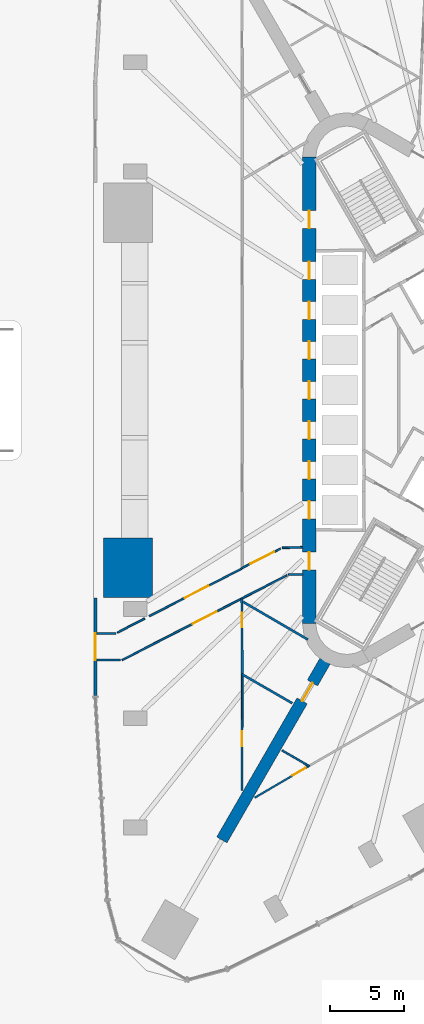
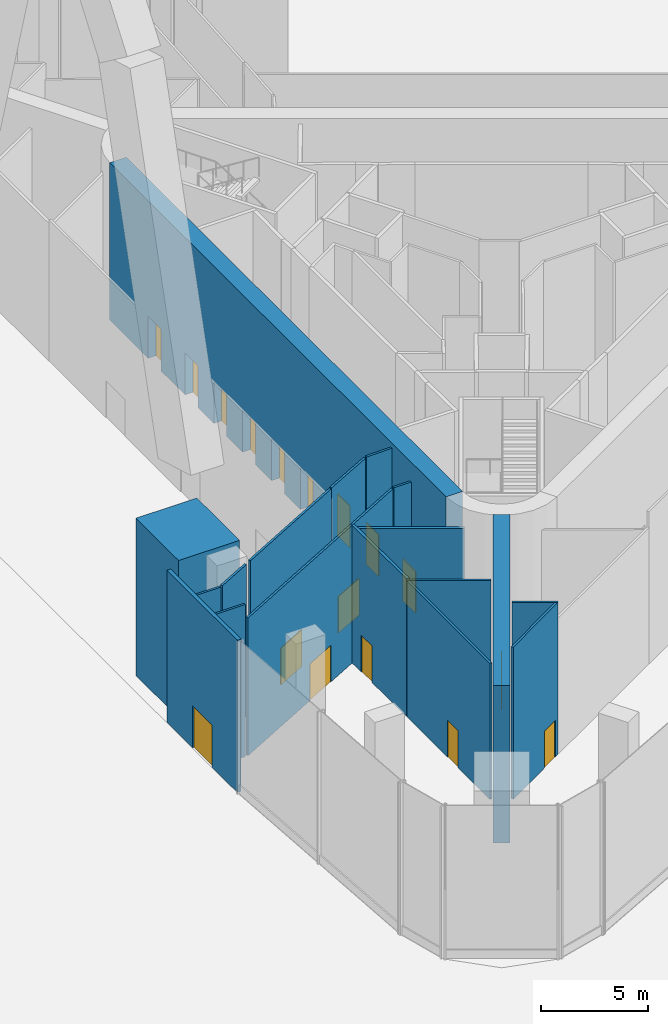
# One storey, part 13 of 22: 18 walls, 17 doors, 17 openings.
"""IFC4 building model written with IfcOpenShell, lengths in metres."""

from ifc_helpers import new_model, si_unit, direction, frame, frame_2d, origin, place, context, subcontext, project, spatial, polyline, rectangle, outline, extrude, material, layer, layer_set, type_object, element, fill, save


model = new_model("IFC4")

# Units and contexts
model_context = context("Model", 3, precision=1e-05, world=origin(), true_north=direction((0.0, 1.0)))
body_context = subcontext(model_context, "Body", "Model", "MODEL_VIEW")
ifc_project = project(units=[si_unit("LENGTHUNIT", "METRE"), si_unit("AREAUNIT", "SQUARE_METRE"), si_unit("VOLUMEUNIT", "CUBIC_METRE"), si_unit("PLANEANGLEUNIT", "RADIAN"), si_unit("MASSUNIT", "GRAM", prefix="KILO")], contexts=[model_context])

# Site, building, storey
site_placement = place(None, origin())
site = spatial("IfcSite", under=ifc_project, at=site_placement, CompositionType="ELEMENT")
building_placement = place(site_placement, origin())
building = spatial("IfcBuilding", under=site, at=building_placement, Name="Tanit Gate Tower", CompositionType="ELEMENT")
storey_placement = place(building_placement, origin())
storey = spatial("IfcBuildingStorey", under=building, at=storey_placement, Name="L00", CompositionType="ELEMENT", Elevation=0.0)

# Wall, opening, door
ifc_material_1 = material(Name="Concrete C60/75", Category="concrete")
ifc_layer_1 = layer(ifc_material_1, 0.800048828125)
ifc_layer_set_1 = layer_set([ifc_layer_1], Name="BUTTRESS FIN 800 C60/75")
wall_type_1 = type_object("IfcWallType", Name="BUTTRESS FIN 800 C60/75", PredefinedType="SHEAR", material=ifc_layer_set_1)
wall_1_placement = place(storey_placement, frame((-10.574951171875, -18.31640625, 0.0), z_axis=(0.0, 0.0, 1.0), x_axis=(-0.499996575515, -0.866027380903, 0.0)))
wall_1 = element("IfcWall", 1, at=wall_1_placement, inside=storey, type_object=wall_type_1, Name="BUTTRESS FIN", PredefinedType="SHEAR", context=body_context, shape_type="SweptSolid", body=[
    extrude(rectangle(XDim=13.9541015625, YDim=0.800048828125, at=frame_2d((6.97705078125, 0.0))), origin(), (0.0, 0.0, 1.0), 9.0),
])
opening_1_placement = place(wall_1_placement, frame((1.699951171875, 0.0, 0.0)))
opening_1 = element("IfcOpeningElement", 2, at=opening_1_placement, cuts=wall_1, Name="Opening P14-00-F-SW-1", PredefinedType="OPENING", context=body_context, shape_type="SweptSolid", body=[
    extrude(rectangle(XDim=1.39990234375, YDim=2.39990234375, at=frame_2d((0.699951171875, 1.199951171875))), frame((0.0, 0.41015625, 0.0), z_axis=(0.0, -1.0, 0.0), x_axis=(1.0, 0.0, 0.0)), (0.0, 0.0, 1.0), 0.820068359375),
])
ifc_material_2 = material(Name="Timber door leaf", Category="wood")
door_type_1 = type_object("IfcDoorType", Name="INT-DOOR-FIN-PAIR-1400", OperationType="NOTDEFINED", PredefinedType="NOTDEFINED", material=ifc_material_2)
door_1_placement = place(opening_1_placement, origin())
door_1 = element("IfcDoor", 3, at=door_1_placement, inside=storey, type_object=door_type_1, Name="Door P14-00-F-SW-1", OperationType="DOUBLE_DOOR_SINGLE_SWING", OverallHeight=2.39990234375, OverallWidth=1.39990234375, PredefinedType="NOTDEFINED", context=body_context, shape_type="SweptSolid", body=[
    extrude(rectangle(XDim=1.39990234375, YDim=2.39990234375, at=frame_2d((0.699951171875, 1.199951171875))), frame((0.0, 0.02490234375, 0.0), z_axis=(0.0, -1.0, 0.0), x_axis=(1.0, 0.0, 0.0)), (0.0, 0.0, 1.0), 0.050048828125),
])
fill(opening_1, door_1)

# Wall, openings, doors
ifc_material_3 = material(Name="Concrete C60/75", Category="concrete")
ifc_layer_2 = layer(ifc_material_3, 0.89990234375)
ifc_layer_set_2 = layer_set([ifc_layer_2], Name="CORE WALL 900 C60/75")
wall_type_2 = type_object("IfcWallType", Name="CORE WALL 900 C60/75", PredefinedType="SHEAR", material=ifc_layer_set_2)
wall_2_placement = place(storey_placement, frame((-11.64990234375, 15.76171875, 0.0), z_axis=(0.0, 0.0, 1.0), x_axis=(0.0, -1.0, 0.0)))
wall_2 = element("IfcWall", 4, at=wall_2_placement, inside=storey, type_object=wall_type_2, Name="CORE WALL", PredefinedType="SHEAR", context=body_context, shape_type="SweptSolid", body=[
    extrude(rectangle(XDim=31.5234375, YDim=0.89990234375, at=frame_2d((15.76171875, 0.0))), origin(), (0.0, 0.0, 1.0), 9.0),
])
opening_2_placement = place(wall_2_placement, frame((7.061767578125, 0.0, 0.0)))
opening_2 = element("IfcOpeningElement", 5, at=opening_2_placement, cuts=wall_2, Name="Opening LDLL1-00", PredefinedType="OPENING", context=body_context, shape_type="SweptSolid", body=[
    extrude(rectangle(XDim=1.199951171875, YDim=2.39990234375, at=frame_2d((0.60009765625, 1.199951171875))), frame((0.0, 0.4599609375, 0.0), z_axis=(0.0, -1.0, 0.0), x_axis=(1.0, 0.0, 0.0)), (0.0, 0.0, 1.0), 0.919921875),
])
opening_3_placement = place(wall_2_placement, frame((9.76171875, 0.0, 0.0)))
opening_3 = element("IfcOpeningElement", 6, at=opening_3_placement, cuts=wall_2, Name="Opening LDLL2-00", PredefinedType="OPENING", context=body_context, shape_type="SweptSolid", body=[
    extrude(rectangle(XDim=1.199951171875, YDim=2.39990234375, at=frame_2d((0.60009765625, 1.199951171875))), frame((0.0, 0.4599609375, 0.0), z_axis=(0.0, -1.0, 0.0), x_axis=(1.0, 0.0, 0.0)), (0.0, 0.0, 1.0), 0.919921875),
])
opening_4_placement = place(wall_2_placement, frame((12.461669921875, 0.0, 0.0)))
opening_4 = element("IfcOpeningElement", 7, at=opening_4_placement, cuts=wall_2, Name="Opening LDLL3-00", PredefinedType="OPENING", context=body_context, shape_type="SweptSolid", body=[
    extrude(rectangle(XDim=1.199951171875, YDim=2.39990234375, at=frame_2d((0.60009765625, 1.199951171875))), frame((0.0, 0.4599609375, 0.0), z_axis=(0.0, -1.0, 0.0), x_axis=(1.0, 0.0, 0.0)), (0.0, 0.0, 1.0), 0.919921875),
])
opening_5_placement = place(wall_2_placement, frame((15.16162109375, 0.0, 0.0)))
opening_5 = element("IfcOpeningElement", 8, at=opening_5_placement, cuts=wall_2, Name="Opening LDLL4-00", PredefinedType="OPENING", context=body_context, shape_type="SweptSolid", body=[
    extrude(rectangle(XDim=1.199951171875, YDim=2.39990234375, at=frame_2d((0.60009765625, 1.199951171875))), frame((0.0, 0.4599609375, 0.0), z_axis=(0.0, -1.0, 0.0), x_axis=(1.0, 0.0, 0.0)), (0.0, 0.0, 1.0), 0.919921875),
])
opening_6_placement = place(wall_2_placement, frame((17.86181640625, 0.0, 0.0)))
opening_6 = element("IfcOpeningElement", 9, at=opening_6_placement, cuts=wall_2, Name="Opening LDLL5-00", PredefinedType="OPENING", context=body_context, shape_type="SweptSolid", body=[
    extrude(rectangle(XDim=1.199951171875, YDim=2.39990234375, at=frame_2d((0.60009765625, 1.199951171875))), frame((0.0, 0.4599609375, 0.0), z_axis=(0.0, -1.0, 0.0), x_axis=(1.0, 0.0, 0.0)), (0.0, 0.0, 1.0), 0.919921875),
])
opening_7_placement = place(wall_2_placement, frame((20.561767578125, 0.0, 0.0)))
opening_7 = element("IfcOpeningElement", 10, at=opening_7_placement, cuts=wall_2, Name="Opening LDLL6-00", PredefinedType="OPENING", context=body_context, shape_type="SweptSolid", body=[
    extrude(rectangle(XDim=1.199951171875, YDim=2.39990234375, at=frame_2d((0.60009765625, 1.199951171875))), frame((0.0, 0.4599609375, 0.0), z_axis=(0.0, -1.0, 0.0), x_axis=(1.0, 0.0, 0.0)), (0.0, 0.0, 1.0), 0.919921875),
])
opening_8_placement = place(wall_2_placement, frame((23.26171875, 0.0, 0.0)))
opening_8 = element("IfcOpeningElement", 11, at=opening_8_placement, cuts=wall_2, Name="Opening LDLL7-00", PredefinedType="OPENING", context=body_context, shape_type="SweptSolid", body=[
    extrude(rectangle(XDim=1.199951171875, YDim=2.39990234375, at=frame_2d((0.60009765625, 1.199951171875))), frame((0.0, 0.4599609375, 0.0), z_axis=(0.0, -1.0, 0.0), x_axis=(1.0, 0.0, 0.0)), (0.0, 0.0, 1.0), 0.919921875),
])
opening_9_placement = place(wall_2_placement, frame((3.61181640625, 0.0, 0.0)))
opening_9 = element("IfcOpeningElement", 12, at=opening_9_placement, cuts=wall_2, Name="Opening F12-00-FL2", PredefinedType="OPENING", context=body_context, shape_type="SweptSolid", body=[
    extrude(rectangle(XDim=1.199951171875, YDim=2.39990234375, at=frame_2d((0.60009765625, 1.199951171875))), frame((0.0, 0.4599609375, 0.0), z_axis=(0.0, -1.0, 0.0), x_axis=(1.0, 0.0, 0.0)), (0.0, 0.0, 1.0), 0.919921875),
])
opening_10_placement = place(wall_2_placement, frame((26.711669921875, 0.0, 0.0)))
opening_10 = element("IfcOpeningElement", 13, at=opening_10_placement, cuts=wall_2, Name="Opening F12-00-S3", PredefinedType="OPENING", context=body_context, shape_type="SweptSolid", body=[
    extrude(rectangle(XDim=1.199951171875, YDim=2.39990234375, at=frame_2d((0.60009765625, 1.199951171875))), frame((0.0, 0.4599609375, 0.0), z_axis=(0.0, -1.0, 0.0), x_axis=(1.0, 0.0, 0.0)), (0.0, 0.0, 1.0), 0.919921875),
])
ifc_material_4 = material(Name="Fire-rated steel door leaf", Category="steel")
door_type_2 = type_object("IfcDoorType", Name="INT-DOOR-FIRE-LOBBY-1200", OperationType="NOTDEFINED", PredefinedType="USERDEFINED", material=ifc_material_4)
door_2_placement = place(opening_9_placement, origin())
door_2 = element("IfcDoor", 14, at=door_2_placement, inside=storey, type_object=door_type_2, Name="Door F12-00-FL2", ObjectType="FIRE DOOR", OperationType="SINGLE_SWING_RIGHT", OverallHeight=2.39990234375, OverallWidth=1.199951171875, PredefinedType="USERDEFINED", context=body_context, shape_type="SweptSolid", body=[
    extrude(rectangle(XDim=1.199951171875, YDim=2.39990234375, at=frame_2d((0.60009765625, 1.199951171875))), frame((0.0, 0.02490234375, 0.0), z_axis=(0.0, -1.0, 0.0), x_axis=(1.0, 0.0, 0.0)), (0.0, 0.0, 1.0), 0.050048828125),
])
fill(opening_9, door_2)
door_3_placement = place(opening_10_placement, origin())
door_3 = element("IfcDoor", 15, at=door_3_placement, inside=storey, type_object=door_type_2, Name="Door F12-00-S3", ObjectType="FIRE DOOR", OperationType="SINGLE_SWING_RIGHT", OverallHeight=2.39990234375, OverallWidth=1.199951171875, PredefinedType="USERDEFINED", context=body_context, shape_type="SweptSolid", body=[
    extrude(rectangle(XDim=1.199951171875, YDim=2.39990234375, at=frame_2d((0.60009765625, 1.199951171875))), frame((0.0, 0.02490234375, 0.0), z_axis=(0.0, -1.0, 0.0), x_axis=(1.0, 0.0, 0.0)), (0.0, 0.0, 1.0), 0.050048828125),
])
fill(opening_10, door_3)
ifc_material_5 = material(Name="Stainless steel sliding door leaf", Category="steel")
door_type_3 = type_object("IfcDoorType", Name="INT-DOOR-LANDING-1200", OperationType="NOTDEFINED", PredefinedType="USERDEFINED", material=ifc_material_5)
door_4_placement = place(opening_2_placement, origin())
door_4 = element("IfcDoor", 16, at=door_4_placement, inside=storey, type_object=door_type_3, Name="Door LDLL1-00", ObjectType="LANDING DOOR", OperationType="SLIDING_TO_LEFT", OverallHeight=2.39990234375, OverallWidth=1.199951171875, PredefinedType="USERDEFINED", context=body_context, shape_type="SweptSolid", body=[
    extrude(rectangle(XDim=1.199951171875, YDim=2.39990234375, at=frame_2d((0.60009765625, 1.199951171875))), frame((0.0, 0.02490234375, 0.0), z_axis=(0.0, -1.0, 0.0), x_axis=(1.0, 0.0, 0.0)), (0.0, 0.0, 1.0), 0.050048828125),
])
fill(opening_2, door_4)
door_5_placement = place(opening_3_placement, origin())
door_5 = element("IfcDoor", 17, at=door_5_placement, inside=storey, type_object=door_type_3, Name="Door LDLL2-00", ObjectType="LANDING DOOR", OperationType="SLIDING_TO_LEFT", OverallHeight=2.39990234375, OverallWidth=1.199951171875, PredefinedType="USERDEFINED", context=body_context, shape_type="SweptSolid", body=[
    extrude(rectangle(XDim=1.199951171875, YDim=2.39990234375, at=frame_2d((0.60009765625, 1.199951171875))), frame((0.0, 0.02490234375, 0.0), z_axis=(0.0, -1.0, 0.0), x_axis=(1.0, 0.0, 0.0)), (0.0, 0.0, 1.0), 0.050048828125),
])
fill(opening_3, door_5)
door_6_placement = place(opening_4_placement, origin())
door_6 = element("IfcDoor", 18, at=door_6_placement, inside=storey, type_object=door_type_3, Name="Door LDLL3-00", ObjectType="LANDING DOOR", OperationType="SLIDING_TO_LEFT", OverallHeight=2.39990234375, OverallWidth=1.199951171875, PredefinedType="USERDEFINED", context=body_context, shape_type="SweptSolid", body=[
    extrude(rectangle(XDim=1.199951171875, YDim=2.39990234375, at=frame_2d((0.60009765625, 1.199951171875))), frame((0.0, 0.02490234375, 0.0), z_axis=(0.0, -1.0, 0.0), x_axis=(1.0, 0.0, 0.0)), (0.0, 0.0, 1.0), 0.050048828125),
])
fill(opening_4, door_6)
door_7_placement = place(opening_5_placement, origin())
door_7 = element("IfcDoor", 19, at=door_7_placement, inside=storey, type_object=door_type_3, Name="Door LDLL4-00", ObjectType="LANDING DOOR", OperationType="SLIDING_TO_LEFT", OverallHeight=2.39990234375, OverallWidth=1.199951171875, PredefinedType="USERDEFINED", context=body_context, shape_type="SweptSolid", body=[
    extrude(rectangle(XDim=1.199951171875, YDim=2.39990234375, at=frame_2d((0.60009765625, 1.199951171875))), frame((0.0, 0.02490234375, 0.0), z_axis=(0.0, -1.0, 0.0), x_axis=(1.0, 0.0, 0.0)), (0.0, 0.0, 1.0), 0.050048828125),
])
fill(opening_5, door_7)
door_8_placement = place(opening_6_placement, origin())
door_8 = element("IfcDoor", 20, at=door_8_placement, inside=storey, type_object=door_type_3, Name="Door LDLL5-00", ObjectType="LANDING DOOR", OperationType="SLIDING_TO_LEFT", OverallHeight=2.39990234375, OverallWidth=1.199951171875, PredefinedType="USERDEFINED", context=body_context, shape_type="SweptSolid", body=[
    extrude(rectangle(XDim=1.199951171875, YDim=2.39990234375, at=frame_2d((0.60009765625, 1.199951171875))), frame((0.0, 0.02490234375, 0.0), z_axis=(0.0, -1.0, 0.0), x_axis=(1.0, 0.0, 0.0)), (0.0, 0.0, 1.0), 0.050048828125),
])
fill(opening_6, door_8)
door_9_placement = place(opening_7_placement, origin())
door_9 = element("IfcDoor", 21, at=door_9_placement, inside=storey, type_object=door_type_3, Name="Door LDLL6-00", ObjectType="LANDING DOOR", OperationType="SLIDING_TO_LEFT", OverallHeight=2.39990234375, OverallWidth=1.199951171875, PredefinedType="USERDEFINED", context=body_context, shape_type="SweptSolid", body=[
    extrude(rectangle(XDim=1.199951171875, YDim=2.39990234375, at=frame_2d((0.60009765625, 1.199951171875))), frame((0.0, 0.02490234375, 0.0), z_axis=(0.0, -1.0, 0.0), x_axis=(1.0, 0.0, 0.0)), (0.0, 0.0, 1.0), 0.050048828125),
])
fill(opening_7, door_9)
door_10_placement = place(opening_8_placement, origin())
door_10 = element("IfcDoor", 22, at=door_10_placement, inside=storey, type_object=door_type_3, Name="Door LDLL7-00", ObjectType="LANDING DOOR", OperationType="SLIDING_TO_LEFT", OverallHeight=2.39990234375, OverallWidth=1.199951171875, PredefinedType="USERDEFINED", context=body_context, shape_type="SweptSolid", body=[
    extrude(rectangle(XDim=1.199951171875, YDim=2.39990234375, at=frame_2d((0.60009765625, 1.199951171875))), frame((0.0, 0.02490234375, 0.0), z_axis=(0.0, -1.0, 0.0), x_axis=(1.0, 0.0, 0.0)), (0.0, 0.0, 1.0), 0.050048828125),
])
fill(opening_8, door_10)

# Wall, opening, door
ifc_material_6 = material(Name="Concrete C30/37 rendered", Category="concrete")
ifc_layer_3 = layer(ifc_material_6, 0.199951171875)
ifc_layer_set_3 = layer_set([ifc_layer_3], Name="Facade wall 200 rendered")
wall_type_3 = type_object("IfcWallType", Name="Facade wall 200 rendered", PredefinedType="SOLIDWALL", material=ifc_layer_set_3)
wall_3_placement = place(storey_placement, frame((-26.107421875, -14.0400390625, 0.0), z_axis=(0.0, 0.0, 1.0), x_axis=(7.3923489e-05, -0.999999997268, 0.0)))
wall_3 = element("IfcWall", 23, at=wall_3_placement, inside=storey, type_object=wall_type_3, Name="Facade wall L00 W2b.1", PredefinedType="SOLIDWALL", context=body_context, shape_type="SweptSolid", body=[
    extrude(rectangle(XDim=6.605224609375, YDim=0.199951171875, at=frame_2d((3.302734375, 0.0))), origin(), (0.0, 0.0, 1.0), 8.699951171875),
])
opening_11_placement = place(wall_3_placement, frame((2.402587890625, 0.0, 0.0)))
opening_11 = element("IfcOpeningElement", 24, at=opening_11_placement, cuts=wall_3, Name="Opening D1", PredefinedType="OPENING", context=body_context, shape_type="SweptSolid", body=[
    extrude(rectangle(XDim=1.800048828125, YDim=2.39990234375, at=frame_2d((0.89990234375, 1.199951171875))), frame((0.0, 0.10986328125, 0.0), z_axis=(0.0, -1.0, 0.0), x_axis=(1.0, 0.0, 0.0)), (0.0, 0.0, 1.0), 0.219970703125),
])
ifc_material_7 = material(Name="Aluminium bronze anodised and glass", Category="aluminium")
door_type_4 = type_object("IfcDoorType", Name="Entrance door double 1800x2400", OperationType="DOUBLE_DOOR_SINGLE_SWING", PredefinedType="DOOR", material=ifc_material_7)
door_11_placement = place(opening_11_placement, frame((1.800048828125, 0.0, 0.0), z_axis=(0.0, 0.0, 1.0), x_axis=(-1.0, 0.0, 0.0)))
door_11 = element("IfcDoor", 25, at=door_11_placement, inside=storey, type_object=door_type_4, Name="Exit door", OperationType="SINGLE_SWING_RIGHT", OverallHeight=2.39990234375, OverallWidth=1.800048828125, PredefinedType="DOOR", context=body_context, shape_type="SweptSolid", body=[
    extrude(rectangle(XDim=1.800048828125, YDim=2.39990234375, at=frame_2d((0.89990234375, 1.199951171875))), frame((0.0, 0.02490234375, 0.0), z_axis=(0.0, -1.0, 0.0), x_axis=(1.0, 0.0, 0.0)), (0.0, 0.0, 1.0), 0.050048828125),
])
fill(opening_11, door_11)

# Wall
ifc_material_8 = material(Name="Gypsum board partition")
ifc_layer_4 = layer(ifc_material_8, 0.1201171875)
ifc_layer_set_4 = layer_set([ifc_layer_4], Name="INT-WALL-PARTITION")
wall_type_4 = type_object("IfcWallType", Name="INT-WALL-PARTITION", PredefinedType="PARTITIONING", material=ifc_layer_set_4)
wall_4_placement = place(storey_placement, frame((-13.4814453125, -10.650390625, 0.0), z_axis=(0.0, 0.0, 1.0), x_axis=(0.999759933767, 0.021910610072, 0.0)))
element("IfcWall", 26, at=wall_4_placement, inside=storey, type_object=wall_type_4, Name="Wall Partition W095", PredefinedType="PARTITIONING", context=body_context, shape_type="SweptSolid", body=[
    extrude(rectangle(XDim=1.381591796875, YDim=0.1201171875, at=frame_2d((0.69091796875, 0.0))), origin(), (0.0, 0.0, 1.0), 8.699951171875),
])

# Wall, opening, door
wall_5_placement = place(storey_placement, frame((-16.199951171875, -12.02197265625, 0.0), z_axis=(0.0, 0.0, 1.0), x_axis=(0.893622341214, 0.448819686826, 0.0)))
wall_5 = element("IfcWall", 27, at=wall_5_placement, inside=storey, type_object=wall_type_4, Name="Wall Partition W096", PredefinedType="PARTITIONING", context=body_context, shape_type="SweptSolid", body=[
    extrude(rectangle(XDim=2.917236328125, YDim=0.1201171875, at=frame_2d((1.45849609375, 0.0))), origin(), (0.0, 0.0, 1.0), 8.699951171875),
])
opening_12_placement = place(wall_5_placement, frame((0.65478515625, 0.0, 0.0)))
opening_12 = element("IfcOpeningElement", 28, at=opening_12_placement, cuts=wall_5, Name="Opening D18-00-23", PredefinedType="OPENING", context=body_context, shape_type="SweptSolid", body=[
    extrude(rectangle(XDim=1.800048828125, YDim=2.10009765625, at=frame_2d((0.89990234375, 1.050048828125))), frame((0.0, 0.070068359375, 0.0), z_axis=(0.0, -1.0, 0.0), x_axis=(1.0, 0.0, 0.0)), (0.0, 0.0, 1.0), 0.14013671875),
])
ifc_material_9 = material(Name="Timber door leaf", Category="wood")
door_type_5 = type_object("IfcDoorType", Name="INT-DOOR-PAIR-1800", OperationType="NOTDEFINED", PredefinedType="NOTDEFINED", material=ifc_material_9)
door_12_placement = place(opening_12_placement, origin())
door_12 = element("IfcDoor", 29, at=door_12_placement, inside=storey, type_object=door_type_5, Name="Door D18-00-23", OperationType="DOUBLE_DOOR_SINGLE_SWING", OverallHeight=2.10009765625, OverallWidth=1.800048828125, PredefinedType="NOTDEFINED", context=body_context, shape_type="SweptSolid", body=[
    extrude(rectangle(XDim=1.800048828125, YDim=2.10009765625, at=frame_2d((0.89990234375, 1.050048828125))), frame((0.0, 0.02490234375, 0.0), z_axis=(0.0, -1.0, 0.0), x_axis=(1.0, 0.0, 0.0)), (0.0, 0.0, 1.0), 0.050048828125),
])
fill(opening_12, door_12)

wall_6_placement = place(storey_placement, frame((-16.196533203125, -27.05322265625, 0.0), z_axis=(0.0, 0.0, 1.0), x_axis=(0.003407082, 0.999994195879, 0.0)))
wall_6 = element("IfcWall", 30, at=wall_6_placement, inside=storey, type_object=wall_type_4, Name="Wall Partition W115", PredefinedType="PARTITIONING", context=body_context, shape_type="SweptSolid", body=[
    extrude(rectangle(XDim=7.810546875, YDim=0.1201171875, at=frame_2d((3.9052734375, 0.0))), origin(), (0.0, 0.0, 1.0), 7.780029296875),
])
opening_13_placement = place(wall_6_placement, frame((2.994140625, 0.0, 0.0)))
opening_13 = element("IfcOpeningElement", 31, at=opening_13_placement, cuts=wall_6, Name="Opening D10-00-42", PredefinedType="OPENING", context=body_context, shape_type="SweptSolid", body=[
    extrude(rectangle(XDim=1.0, YDim=2.10009765625, at=frame_2d((0.5, 1.050048828125))), frame((0.0, 0.070068359375, 0.0), z_axis=(0.0, -1.0, 0.0), x_axis=(1.0, 0.0, 0.0)), (0.0, 0.0, 1.0), 0.14013671875),
])
ifc_material_10 = material(Name="Timber door leaf", Category="wood")
door_type_6 = type_object("IfcDoorType", Name="INT-DOOR-SINGLE-1000", OperationType="NOTDEFINED", PredefinedType="NOTDEFINED", material=ifc_material_10)
door_13_placement = place(opening_13_placement, origin())
door_13 = element("IfcDoor", 32, at=door_13_placement, inside=storey, type_object=door_type_6, Name="Door D10-00-42", OperationType="SINGLE_SWING_LEFT", OverallHeight=2.10009765625, OverallWidth=1.0, PredefinedType="NOTDEFINED", context=body_context, shape_type="SweptSolid", body=[
    extrude(rectangle(XDim=1.0, YDim=2.10009765625, at=frame_2d((0.5, 1.050048828125))), frame((0.0, 0.02490234375, 0.0), z_axis=(0.0, -1.0, 0.0), x_axis=(1.0, 0.0, 0.0)), (0.0, 0.0, 1.0), 0.050048828125),
])
fill(opening_13, door_13)

# Wall
wall_7_placement = place(storey_placement, frame((-13.481201171875, -24.35009765625, 0.0), z_axis=(0.0, 0.0, 1.0), x_axis=(0.865282890553, -0.501283870992, 0.0)))
element("IfcWall", 33, at=wall_7_placement, inside=storey, type_object=wall_type_4, Name="Wall Partition W116", PredefinedType="PARTITIONING", context=body_context, shape_type="SweptSolid", body=[
    extrude(rectangle(XDim=2.1376953125, YDim=0.1201171875, at=frame_2d((1.06884765625, 0.0))), origin(), (0.0, 0.0, 1.0), 8.699951171875),
])

# Wall, opening, door
wall_8_placement = place(storey_placement, frame((-11.6875, -25.41943359375, 0.0), z_axis=(0.0, 0.0, 1.0), x_axis=(-0.863165231754, -0.50492156093, 0.0)))
wall_8 = element("IfcWall", 34, at=wall_8_placement, inside=storey, type_object=wall_type_4, Name="Wall Partition W118", PredefinedType="PARTITIONING", context=body_context, shape_type="SweptSolid", body=[
    extrude(rectangle(XDim=4.2177734375, YDim=0.1201171875, at=frame_2d((2.10888671875, 0.0))), origin(), (0.0, 0.0, 1.0), 8.699951171875),
])
opening_14_placement = place(wall_8_placement, frame((0.25, 0.0, 0.0)))
opening_14 = element("IfcOpeningElement", 35, at=opening_14_placement, cuts=wall_8, Name="Opening D10-00-44", PredefinedType="OPENING", context=body_context, shape_type="SweptSolid", body=[
    extrude(rectangle(XDim=1.0, YDim=2.10009765625, at=frame_2d((0.5, 1.050048828125))), frame((0.0, 0.070068359375, 0.0), z_axis=(0.0, -1.0, 0.0), x_axis=(1.0, 0.0, 0.0)), (0.0, 0.0, 1.0), 0.14013671875),
])
door_14_placement = place(opening_14_placement, origin())
door_14 = element("IfcDoor", 36, at=door_14_placement, inside=storey, type_object=door_type_6, Name="Door D10-00-44", OperationType="SINGLE_SWING_LEFT", OverallHeight=2.10009765625, OverallWidth=1.0, PredefinedType="NOTDEFINED", context=body_context, shape_type="SweptSolid", body=[
    extrude(rectangle(XDim=1.0, YDim=2.10009765625, at=frame_2d((0.5, 1.050048828125))), frame((0.0, 0.02490234375, 0.0), z_axis=(0.0, -1.0, 0.0), x_axis=(1.0, 0.0, 0.0)), (0.0, 0.0, 1.0), 0.050048828125),
])
fill(opening_14, door_14)

# Wall
wall_9_placement = place(storey_placement, frame((-26.00732421875, -16.442626953125, 0.0), z_axis=(0.0, 0.0, 1.0), x_axis=(1.0, 0.0, 0.0)))
element("IfcWall", 37, at=wall_9_placement, inside=storey, type_object=wall_type_4, Name="Wall Partition W131", PredefinedType="PARTITIONING", context=body_context, shape_type="SweptSolid", body=[
    extrude(rectangle(XDim=1.296630859375, YDim=0.1201171875, at=frame_2d((0.6484375, 0.0))), origin(), (0.0, 0.0, 1.0), 8.699951171875),
])

# Wall, opening, door
wall_10_placement = place(storey_placement, frame((-16.22998046875, -12.0712890625, 0.0), z_axis=(0.0, 0.0, 1.0), x_axis=(-0.889183605382, -0.457550561053, 0.0)))
wall_10 = element("IfcWall", 38, at=wall_10_placement, inside=storey, type_object=wall_type_4, Name="Wall Partition W133", PredefinedType="PARTITIONING", context=body_context, shape_type="SweptSolid", body=[
    extrude(rectangle(XDim=6.9990234375, YDim=0.1201171875, at=frame_2d((3.49951171875, 0.0))), origin(), (0.0, 0.0, 1.0), 8.699951171875),
])
opening_15_placement = place(wall_10_placement, frame((2.4990234375, 0.0, 0.0)))
opening_15 = element("IfcOpeningElement", 39, at=opening_15_placement, cuts=wall_10, Name="Opening D18-00-22", PredefinedType="OPENING", context=body_context, shape_type="SweptSolid", body=[
    extrude(rectangle(XDim=1.800048828125, YDim=2.10009765625, at=frame_2d((0.89990234375, 1.050048828125))), frame((0.0, 0.070068359375, 0.0), z_axis=(0.0, -1.0, 0.0), x_axis=(1.0, 0.0, 0.0)), (0.0, 0.0, 1.0), 0.14013671875),
])
door_15_placement = place(opening_15_placement, origin())
door_15 = element("IfcDoor", 40, at=door_15_placement, inside=storey, type_object=door_type_5, Name="Door D18-00-22", OperationType="DOUBLE_DOOR_SINGLE_SWING", OverallHeight=2.10009765625, OverallWidth=1.800048828125, PredefinedType="NOTDEFINED", context=body_context, shape_type="SweptSolid", body=[
    extrude(rectangle(XDim=1.800048828125, YDim=2.10009765625, at=frame_2d((0.89990234375, 1.050048828125))), frame((0.0, 0.02490234375, 0.0), z_axis=(0.0, -1.0, 0.0), x_axis=(1.0, 0.0, 0.0)), (0.0, 0.0, 1.0), 0.050048828125),
])
fill(opening_15, door_15)

# Walls
wall_11_placement = place(storey_placement, frame((-22.762939453125, -15.432861328125, 0.0), z_axis=(0.0, 0.0, 1.0), x_axis=(-0.88919210908, -0.457534034963, 0.0)))
element("IfcWall", 41, at=wall_11_placement, inside=storey, type_object=wall_type_4, Name="Wall Partition W132", PredefinedType="PARTITIONING", context=body_context, shape_type="SweptSolid", body=[
    extrude(rectangle(XDim=2.07568359375, YDim=0.1201171875, at=frame_2d((1.037841796875, 0.0))), origin(), (0.0, 0.0, 1.0), 8.699951171875),
])
wall_12_placement = place(storey_placement, frame((-12.070068359375, -12.449951171875, 0.0), z_axis=(0.0, 0.0, 1.0), x_axis=(-1.0, 0.0, 0.0)))
element("IfcWall", 42, at=wall_12_placement, inside=storey, type_object=wall_type_4, Name="Wall Partition W134", PredefinedType="PARTITIONING", context=body_context, shape_type="SweptSolid", body=[
    extrude(rectangle(XDim=0.9765625, YDim=0.1201171875, at=frame_2d((0.48828125, 0.0))), origin(), (0.0, 0.0, 1.0), 7.8798828125),
])

# Wall, opening, door
wall_13_placement = place(storey_placement, frame((-24.30224609375, -18.249267578125, 0.0), z_axis=(0.0, 0.0, 1.0), x_axis=(0.889186002608, 0.45754590236, 0.0)))
wall_13 = element("IfcWall", 43, at=wall_13_placement, inside=storey, type_object=wall_type_4, Name="Wall Partition W135", PredefinedType="PARTITIONING", context=body_context, shape_type="SweptSolid", body=[
    extrude(rectangle(XDim=12.54345703125, YDim=0.1201171875, at=frame_2d((6.271728515625, 0.0))), origin(), (0.0, 0.0, 1.0), 7.8798828125),
])
opening_16_placement = place(wall_13_placement, frame((5.37451171875, 0.0, 0.0)))
opening_16 = element("IfcOpeningElement", 44, at=opening_16_placement, cuts=wall_13, Name="Opening D18-00-21", PredefinedType="OPENING", context=body_context, shape_type="SweptSolid", body=[
    extrude(rectangle(XDim=1.800048828125, YDim=2.10009765625, at=frame_2d((0.89990234375, 1.050048828125))), frame((0.0, 0.070068359375, 0.0), z_axis=(0.0, -1.0, 0.0), x_axis=(1.0, 0.0, 0.0)), (0.0, 0.0, 1.0), 0.14013671875),
])
door_16_placement = place(opening_16_placement, origin())
door_16 = element("IfcDoor", 45, at=door_16_placement, inside=storey, type_object=door_type_5, Name="Door D18-00-21", OperationType="DOUBLE_DOOR_SINGLE_SWING", OverallHeight=2.10009765625, OverallWidth=1.800048828125, PredefinedType="NOTDEFINED", context=body_context, shape_type="SweptSolid", body=[
    extrude(rectangle(XDim=1.800048828125, YDim=2.10009765625, at=frame_2d((0.89990234375, 1.050048828125))), frame((0.0, 0.02490234375, 0.0), z_axis=(0.0, -1.0, 0.0), x_axis=(1.0, 0.0, 0.0)), (0.0, 0.0, 1.0), 0.050048828125),
])
fill(opening_16, door_16)

# Walls
wall_14_placement = place(storey_placement, frame((-26.007080078125, -18.24267578125, 0.0), z_axis=(0.0, 0.0, 1.0), x_axis=(0.999999988162, 0.000153869824, 0.0)))
element("IfcWall", 46, at=wall_14_placement, inside=storey, type_object=wall_type_4, Name="Wall Partition W136", PredefinedType="PARTITIONING", context=body_context, shape_type="SweptSolid", body=[
    extrude(rectangle(XDim=1.586669921875, YDim=0.1201171875, at=frame_2d((0.79345703125, 0.0))), origin(), (0.0, 0.0, 1.0), 8.699951171875),
])
ifc_material_11 = material(Name="Fire-rated gypsum board partition")
ifc_layer_5 = layer(ifc_material_11, 0.14990234375)
ifc_layer_set_5 = layer_set([ifc_layer_5], Name="INT-WALL-RISER")
wall_type_5 = type_object("IfcWallType", Name="INT-WALL-RISER", PredefinedType="PLUMBINGWALL", material=ifc_layer_set_5)
wall_15_placement = place(storey_placement, frame((-16.199951171875, -19.1953125, 0.0), z_axis=(0.0, 0.0, 1.0), x_axis=(0.866480040483, -0.499211718057, 0.0)))
element("IfcWall", 47, at=wall_15_placement, inside=storey, type_object=wall_type_5, Name="Wall Riser W112", PredefinedType="PLUMBINGWALL", context=body_context, shape_type="SweptSolid", body=[
    extrude(rectangle(XDim=3.931884765625, YDim=0.14990234375, at=frame_2d((1.9658203125, 0.0))), origin(), (0.0, 0.0, 1.0), 7.780029296875),
])

# Wall, opening, door
wall_16_placement = place(storey_placement, frame((-16.169921875, -19.24267578125, 0.0), z_axis=(0.0, 0.0, 1.0), x_axis=(-0.006010481517, 0.999981936893, 0.0)))
wall_16 = element("IfcWall", 48, at=wall_16_placement, inside=storey, type_object=wall_type_5, Name="Wall Riser W113", PredefinedType="PLUMBINGWALL", context=body_context, shape_type="SweptSolid", body=[
    extrude(rectangle(XDim=5.117919921875, YDim=0.14990234375, at=frame_2d((2.55908203125, 0.0))), origin(), (0.0, 0.0, 1.0), 7.8798828125),
])
opening_17_placement = place(wall_16_placement, frame((3.215576171875, 0.0, 0.0)))
opening_17 = element("IfcOpeningElement", 49, at=opening_17_placement, cuts=wall_16, Name="Opening F10-00-41", PredefinedType="OPENING", context=body_context, shape_type="SweptSolid", body=[
    extrude(rectangle(XDim=1.0, YDim=2.10009765625, at=frame_2d((0.5, 1.050048828125))), frame((0.0, 0.0849609375, 0.0), z_axis=(0.0, -1.0, 0.0), x_axis=(1.0, 0.0, 0.0)), (0.0, 0.0, 1.0), 0.169921875),
])
ifc_material_12 = material(Name="Fire-rated steel door leaf", Category="steel")
door_type_7 = type_object("IfcDoorType", Name="INT-DOOR-FIRE-1000", OperationType="NOTDEFINED", PredefinedType="USERDEFINED", material=ifc_material_12)
door_17_placement = place(opening_17_placement, origin())
door_17 = element("IfcDoor", 50, at=door_17_placement, inside=storey, type_object=door_type_7, Name="Door F10-00-41", ObjectType="FIRE DOOR", OperationType="SINGLE_SWING_RIGHT", OverallHeight=2.10009765625, OverallWidth=1.0, PredefinedType="USERDEFINED", context=body_context, shape_type="SweptSolid", body=[
    extrude(rectangle(XDim=1.0, YDim=2.10009765625, at=frame_2d((0.5, 1.050048828125))), frame((0.0, 0.02490234375, 0.0), z_axis=(0.0, -1.0, 0.0), x_axis=(1.0, 0.0, 0.0)), (0.0, 0.0, 1.0), 0.050048828125),
])
fill(opening_17, door_17)

# Walls
wall_17_placement = place(storey_placement, frame((-11.729248046875, -16.859619140625, 0.0), z_axis=(0.0, 0.0, 1.0), x_axis=(-0.864161643102, 0.503214322721, 0.0)))
element("IfcWall", 51, at=wall_17_placement, inside=storey, type_object=wall_type_5, Name="Wall Riser W114", PredefinedType="PLUMBINGWALL", context=body_context, shape_type="SweptSolid", body=[
    extrude(rectangle(XDim=5.08642578125, YDim=0.14990234375, at=frame_2d((2.543212890625, 0.0))), origin(), (0.0, 0.0, 1.0), 7.780029296875),
])
ifc_material_13 = material(Name="Concrete C60/75", Category="concrete")
ifc_layer_6 = layer(ifc_material_13, 4.0)
ifc_layer_set_6 = layer_set([ifc_layer_6], Name="PIER WALL 4000 C60/75")
wall_type_6 = type_object("IfcWallType", Name="PIER WALL 4000 C60/75", PredefinedType="SHEAR", material=ifc_layer_set_6)
wall_18_placement = place(storey_placement, origin())
element("IfcWall", 52, at=wall_18_placement, inside=storey, type_object=wall_type_6, Name="PIER WALL", PredefinedType="SHEAR", context=body_context, shape_type="SweptSolid", body=[
    extrude(outline(polyline([(-25.553466796875, -10.0), (-25.553466796875, -14.0), (-22.25341796875, -14.0), (-22.25341796875, -10.0), (-25.553466796875, -10.0)])), origin(), (0.0, 0.0, 1.0), 9.0),
])

save(model, "model.ifc")
